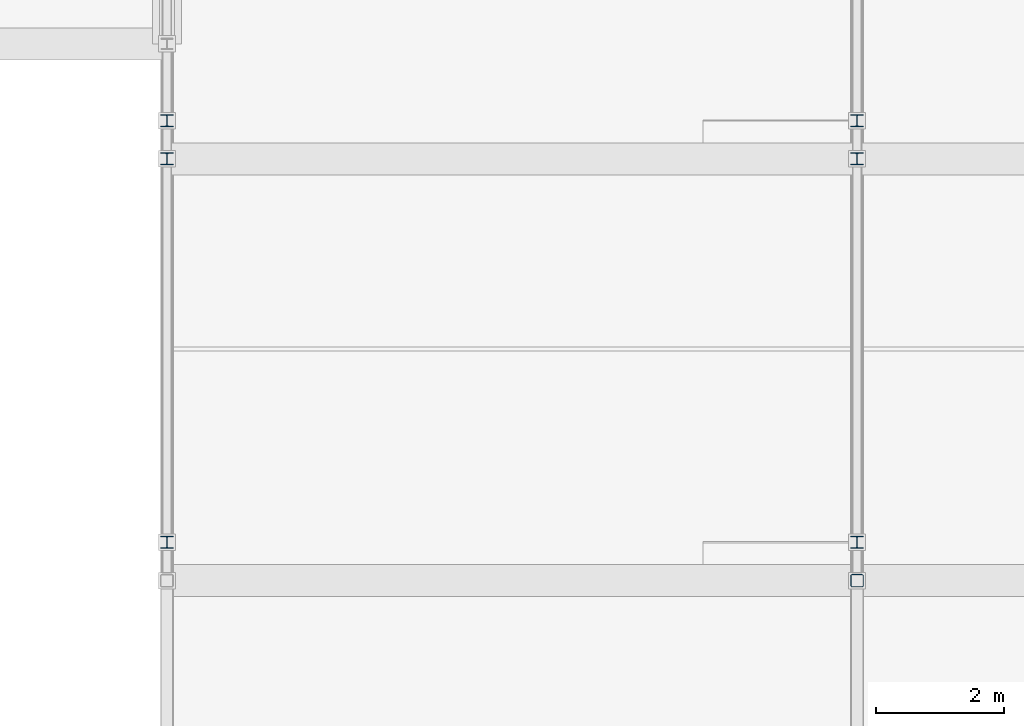
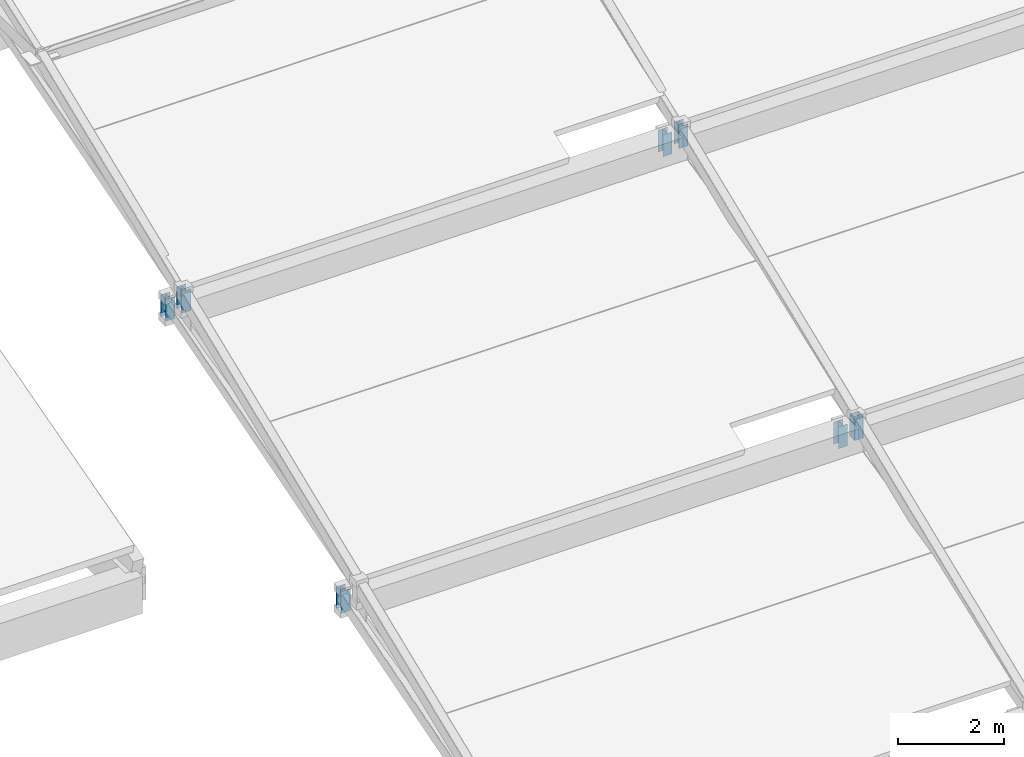
# One storey, part 69 of 112: 7 members.
"""IFC4 building model written with IfcOpenShell, lengths in metres."""

from ifc_helpers import new_model, si_unit, direction, frame, origin, origin_2d, place, context, subcontext, project, spatial, hollow_rectangle, i_section, extrude, material, material_profile, profile_set, type_object, element, save


model = new_model("IFC4")

# Units and contexts
model_context = context("Model", 3, precision=1e-05, world=origin(), true_north=direction((0.0, 1.0)))
body_context = subcontext(model_context, "Body", "Model", "MODEL_VIEW")
ifc_project = project(units=[si_unit("LENGTHUNIT", "METRE"), si_unit("AREAUNIT", "SQUARE_METRE"), si_unit("VOLUMEUNIT", "CUBIC_METRE"), si_unit("PLANEANGLEUNIT", "RADIAN"), si_unit("MASSUNIT", "GRAM", prefix="KILO")], contexts=[model_context])

# Site, building, storey
site_placement = place(None, origin())
site = spatial("IfcSite", under=ifc_project, at=site_placement, CompositionType="ELEMENT")
building_placement = place(site_placement, origin())
building = spatial("IfcBuilding", under=site, at=building_placement, Name="Zwinboog Wholesale Market", CompositionType="ELEMENT")
storey_placement = place(building_placement, frame((0.0, 0.0, 19.080078125)))
storey = spatial("IfcBuildingStorey", under=building, at=storey_placement, Name="Roof", CompositionType="ELEMENT", Elevation=19.080078125)

# Members
ifc_material = material(Name="Steel S355", Category="steel")
ifc_material_profile_1 = material_profile(ifc_material, hollow_rectangle(XDim=0.199951171875, YDim=0.199951171875, WallThickness=0.010009765625, InnerFilletRadius=0.010009765625, OuterFilletRadius=0.02001953125, at=origin_2d()), Name="SHS 200x200x10")
ifc_profile_set_1 = profile_set([ifc_material_profile_1], Name="Steel S355")
member_type_1 = type_object("IfcMemberType", Name="MT-04", PredefinedType="BRACE", material=ifc_profile_set_1)
member_placement = place(storey_placement, frame((75.60009765625, 56.39990234375, -4.630126953125), z_axis=(0.0, 0.0, 1.0), x_axis=(1.0, 0.0, 0.0)))
element("IfcMember", 1, at=member_placement, inside=storey, type_object=member_type_1, Name="DB-01 (MEM-Roof-0038)", PredefinedType="BRACE", context=body_context, shape_type="SweptSolid", body=[
    extrude(hollow_rectangle(XDim=0.199951171875, YDim=0.199951171875, WallThickness=0.010009765625, InnerFilletRadius=0.010009765625, OuterFilletRadius=0.02001953125, at=origin_2d()), origin(), (0.0, 0.0, 1.0), 0.5),
])
ifc_material_profile_2 = material_profile(ifc_material, i_section(OverallWidth=0.199951171875, OverallDepth=0.18994140625, WebThickness=0.006591796875, FlangeThickness=0.010009765625, FilletRadius=0.01806640625, at=origin_2d()), Name="HEA 200")
ifc_profile_set_2 = profile_set([ifc_material_profile_2], Name="Steel S355")
member_type_2 = type_object("IfcMemberType", Name="MT-05", PredefinedType="BRACE", material=ifc_profile_set_2)
for number, where, z_axis, x_axis, name in (
    (2, (64.800048828125, 57.0, -5.18017578125), (0.0, 0.0, 1.0), (1.0, 0.0, 0.0), "DB-02 (MEM-Roof-0006)"),
    (3, (64.800048828125, 63.60009765625, -2.47998046875), (0.0, 0.0, 1.0), (1.0, 0.0, 0.0), "DB-02 (MEM-Roof-0009)"),
    (4, (64.800048828125, 63.0, -1.93017578125), (0.0, 0.0, 1.0), (1.0, 0.0, 0.0), "DB-02 (MEM-Roof-0011)"),
    (5, (75.60009765625, 57.0, -5.18017578125), (0.0, 0.0, 1.0), (1.0, 0.0, 0.0), "DB-02 (MEM-Roof-0036)"),
    (6, (75.60009765625, 63.60009765625, -2.47998046875), (0.0, 0.0, 1.0), (1.0, 0.0, 0.0), "DB-02 (MEM-Roof-0039)"),
    (7, (75.60009765625, 63.0, -1.93017578125), (0.0, 0.0, 1.0), (1.0, 0.0, 0.0), "DB-02 (MEM-Roof-0041)"),
):
    element("IfcMember", number, at=place(storey_placement, frame(where, z_axis=z_axis, x_axis=x_axis)), inside=storey, type_object=member_type_2, Name=name, PredefinedType="BRACE", context=body_context, shape_type="SweptSolid", body=[
        extrude(i_section(OverallWidth=0.199951171875, OverallDepth=0.18994140625, WebThickness=0.006591796875, FlangeThickness=0.010009765625, FilletRadius=0.01806640625, at=origin_2d()), origin(), (0.0, 0.0, 1.0), 0.5),
    ])

save(model, "model.ifc")
